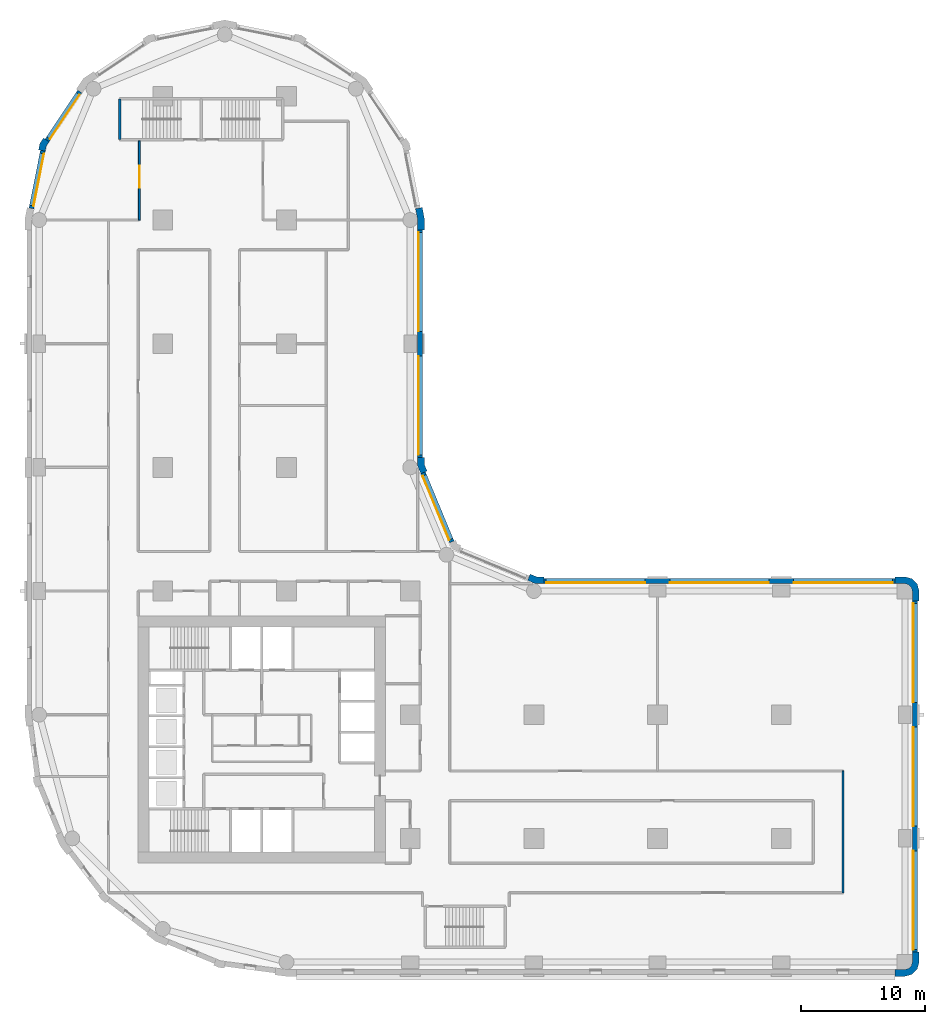
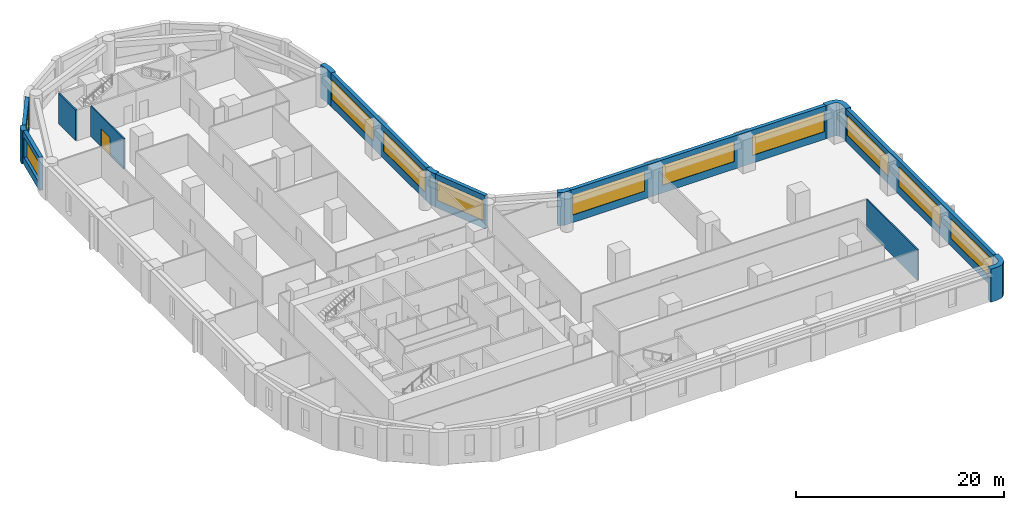
# One storey, part 6 of 10: 15 walls, 11 windows, 1 door, 12 openings.
"""IFC4 building model written with IfcOpenShell, lengths in metres."""

from ifc_helpers import new_model, si_unit, direction, frame, frame_2d, origin, place, context, subcontext, project, spatial, polyline, rectangle, outline, extrude, material, layer, layer_set, type_object, element, fill, save


model = new_model("IFC4")

# Units and contexts
model_context = context("Model", 3, precision=1e-05, world=origin(), true_north=direction((0.0, 1.0)))
body_context = subcontext(model_context, "Body", "Model", "MODEL_VIEW")
ifc_project = project(units=[si_unit("LENGTHUNIT", "METRE"), si_unit("AREAUNIT", "SQUARE_METRE"), si_unit("VOLUMEUNIT", "CUBIC_METRE"), si_unit("PLANEANGLEUNIT", "RADIAN"), si_unit("MASSUNIT", "GRAM", prefix="KILO")], contexts=[model_context])

# Site, building, storey
site_placement = place(None, origin())
site = spatial("IfcSite", under=ifc_project, at=site_placement, CompositionType="ELEMENT")
building_placement = place(site_placement, origin())
building = spatial("IfcBuilding", under=site, at=building_placement, Name="Qaws Garden Tower", CompositionType="ELEMENT")
storey_placement = place(building_placement, frame((0.0, 0.0, 58.800048828125)))
storey = spatial("IfcBuildingStorey", under=building, at=storey_placement, Name="L14", CompositionType="ELEMENT", Elevation=58.800048828125)

# Walls
ifc_material_1 = material(Name="Clay facing brick masonry", Category="masonry")
ifc_layer_1 = layer(ifc_material_1, 0.550048828125)
ifc_layer_set_1 = layer_set([ifc_layer_1], Name="Clay facing brick masonry")
wall_type_1 = type_object("IfcWallType", Name="Brick corner pier 550 x 2400", PredefinedType="SOLIDWALL", material=ifc_layer_set_1)
placement = place(storey_placement, origin())
element("IfcWall", 1, at=placement, inside=storey, type_object=wall_type_1, Name="E-L14-pier-05", PredefinedType="SOLIDWALL", context=body_context, shape_type="SweptSolid", body=[
    extrude(outline(polyline([(69.199951171875, -1.0), (69.199951171875, -1.14990234375), (70.0, -1.14990234375), (70.574951171875, -0.995849609375), (70.995849609375, -0.574951171875), (71.14990234375, 0.0), (71.14990234375, 0.800048828125), (71.0, 0.800048828125), (70.60009765625, 0.800048828125), (70.60009765625, 0.0), (70.51953125, -0.300048828125), (70.300048828125, -0.51953125), (70.0, -0.60009765625), (69.199951171875, -0.60009765625), (69.199951171875, -1.0)])), origin(), (0.0, 0.0, 1.0), 3.89990234375),
])
element("IfcWall", 2, at=placement, inside=storey, type_object=wall_type_1, Name="E-L14-pier-08", PredefinedType="SOLIDWALL", context=body_context, shape_type="SweptSolid", body=[
    extrude(outline(polyline([(71.0, 29.199951171875), (71.14990234375, 29.199951171875), (71.14990234375, 30.0), (70.995849609375, 30.574951171875), (70.574951171875, 30.995849609375), (70.0, 31.14990234375), (69.199951171875, 31.14990234375), (69.199951171875, 31.0), (69.199951171875, 30.60009765625), (70.0, 30.60009765625), (70.300048828125, 30.51953125), (70.51953125, 30.300048828125), (70.60009765625, 30.0), (70.60009765625, 29.199951171875), (71.0, 29.199951171875)])), origin(), (0.0, 0.0, 1.0), 3.89990234375),
])

# Wall, openings, windows
ifc_material_2 = material(Name="Clay facing brick masonry", Category="masonry")
ifc_layer_2 = layer(ifc_material_2, 0.39990234375)
ifc_layer_set_2 = layer_set([ifc_layer_2], Name="Clay facing brick masonry")
wall_type_2 = type_object("IfcWallType", Name="Brick infill wall 400", PredefinedType="SOLIDWALL", material=ifc_layer_set_2)
wall_3_placement = place(storey_placement, frame((70.800048828125, 0.800048828125, 0.0), z_axis=(0.0, 0.0, 1.0), x_axis=(0.0, 1.0, 0.0)))
wall_3 = element("IfcWall", 3, at=wall_3_placement, inside=storey, type_object=wall_type_2, Name="E-L14-infill-05", PredefinedType="SOLIDWALL", context=body_context, shape_type="SweptSolid", body=[
    extrude(rectangle(XDim=28.39990234375, YDim=0.39990234375, at=frame_2d((14.199951171875, 0.0))), origin(), (0.0, 0.0, 1.0), 3.89990234375),
])
opening_1_placement = place(wall_3_placement, frame((0.199951171875, 0.0, 0.89990234375)))
opening_1 = element("IfcOpeningElement", 4, at=opening_1_placement, cuts=wall_3, Name="Opening W01", PredefinedType="OPENING", context=body_context, shape_type="SweptSolid", body=[
    extrude(rectangle(XDim=8.0, YDim=2.35009765625, at=frame_2d((4.0, 1.175048828125))), frame((0.0, 0.2099609375, 0.0), z_axis=(0.0, -1.0, 0.0), x_axis=(1.0, 0.0, 0.0)), (0.0, 0.0, 1.0), 0.419921875),
])
opening_2_placement = place(wall_3_placement, frame((10.199951171875, 0.0, 0.89990234375)))
opening_2 = element("IfcOpeningElement", 5, at=opening_2_placement, cuts=wall_3, Name="Opening W01", PredefinedType="OPENING", context=body_context, shape_type="SweptSolid", body=[
    extrude(rectangle(XDim=8.0, YDim=2.35009765625, at=frame_2d((4.0, 1.175048828125))), frame((0.0, 0.2099609375, 0.0), z_axis=(0.0, -1.0, 0.0), x_axis=(1.0, 0.0, 0.0)), (0.0, 0.0, 1.0), 0.419921875),
])
opening_3_placement = place(wall_3_placement, frame((20.199951171875, 0.0, 0.89990234375)))
opening_3 = element("IfcOpeningElement", 6, at=opening_3_placement, cuts=wall_3, Name="Opening W01", PredefinedType="OPENING", context=body_context, shape_type="SweptSolid", body=[
    extrude(rectangle(XDim=8.0, YDim=2.35009765625, at=frame_2d((4.0, 1.175048828125))), frame((0.0, 0.2099609375, 0.0), z_axis=(0.0, -1.0, 0.0), x_axis=(1.0, 0.0, 0.0)), (0.0, 0.0, 1.0), 0.419921875),
])
ifc_material_3 = material(Name="Aluminium framed window, clear glazing", Category="aluminium")
window_type_1 = type_object("IfcWindowType", Name="Ribbon window 8000 x 2350", PartitioningType="DOUBLE_PANEL_VERTICAL", PredefinedType="WINDOW", material=ifc_material_3)
window_1_placement = place(opening_1_placement, origin())
window_1 = element("IfcWindow", 7, at=window_1_placement, inside=storey, type_object=window_type_1, Name="E-L14-window-05-0", OverallHeight=2.35009765625, OverallWidth=8.0, PartitioningType="SINGLE_PANEL", PredefinedType="WINDOW", context=body_context, shape_type="SweptSolid", body=[
    extrude(rectangle(XDim=8.0, YDim=2.35009765625, at=frame_2d((4.0, 1.175048828125))), frame((0.0, 0.159912109375, 0.0), z_axis=(0.0, -1.0, 0.0), x_axis=(1.0, 0.0, 0.0)), (0.0, 0.0, 1.0), 0.06005859375),
])
fill(opening_1, window_1)
window_2_placement = place(opening_2_placement, origin())
window_2 = element("IfcWindow", 8, at=window_2_placement, inside=storey, type_object=window_type_1, Name="E-L14-window-06-0", OverallHeight=2.35009765625, OverallWidth=8.0, PartitioningType="SINGLE_PANEL", PredefinedType="WINDOW", context=body_context, shape_type="SweptSolid", body=[
    extrude(rectangle(XDim=8.0, YDim=2.35009765625, at=frame_2d((4.0, 1.175048828125))), frame((0.0, 0.159912109375, 0.0), z_axis=(0.0, -1.0, 0.0), x_axis=(1.0, 0.0, 0.0)), (0.0, 0.0, 1.0), 0.06005859375),
])
fill(opening_2, window_2)
window_3_placement = place(opening_3_placement, origin())
window_3 = element("IfcWindow", 9, at=window_3_placement, inside=storey, type_object=window_type_1, Name="E-L14-window-07-0", OverallHeight=2.35009765625, OverallWidth=8.0, PartitioningType="SINGLE_PANEL", PredefinedType="WINDOW", context=body_context, shape_type="SweptSolid", body=[
    extrude(rectangle(XDim=8.0, YDim=2.35009765625, at=frame_2d((4.0, 1.175048828125))), frame((0.0, 0.159912109375, 0.0), z_axis=(0.0, -1.0, 0.0), x_axis=(1.0, 0.0, 0.0)), (0.0, 0.0, 1.0), 0.06005859375),
])
fill(opening_3, window_3)

wall_4_placement = place(storey_placement, frame((69.199951171875, 30.800048828125, 0.0), z_axis=(0.0, 0.0, 1.0), x_axis=(-1.0, 0.0, 0.0)))
wall_4 = element("IfcWall", 10, at=wall_4_placement, inside=storey, type_object=wall_type_2, Name="E-L14-infill-08", PredefinedType="SOLIDWALL", context=body_context, shape_type="SweptSolid", body=[
    extrude(rectangle(XDim=28.39990234375, YDim=0.39990234375, at=frame_2d((14.199951171875, 0.0))), origin(), (0.0, 0.0, 1.0), 3.89990234375),
])
opening_4_placement = place(wall_4_placement, frame((0.199951171875, 0.0, 0.89990234375)))
opening_4 = element("IfcOpeningElement", 11, at=opening_4_placement, cuts=wall_4, Name="Opening W01", PredefinedType="OPENING", context=body_context, shape_type="SweptSolid", body=[
    extrude(rectangle(XDim=8.0, YDim=2.35009765625, at=frame_2d((4.0, 1.175048828125))), frame((0.0, 0.2099609375, 0.0), z_axis=(0.0, -1.0, 0.0), x_axis=(1.0, 0.0, 0.0)), (0.0, 0.0, 1.0), 0.419921875),
])
opening_5_placement = place(wall_4_placement, frame((10.199951171875, 0.0, 0.89990234375)))
opening_5 = element("IfcOpeningElement", 12, at=opening_5_placement, cuts=wall_4, Name="Opening W01", PredefinedType="OPENING", context=body_context, shape_type="SweptSolid", body=[
    extrude(rectangle(XDim=8.0, YDim=2.35009765625, at=frame_2d((4.0, 1.175048828125))), frame((0.0, 0.2099609375, 0.0), z_axis=(0.0, -1.0, 0.0), x_axis=(1.0, 0.0, 0.0)), (0.0, 0.0, 1.0), 0.419921875),
])
opening_6_placement = place(wall_4_placement, frame((20.199951171875, 0.0, 0.89990234375)))
opening_6 = element("IfcOpeningElement", 13, at=opening_6_placement, cuts=wall_4, Name="Opening W01", PredefinedType="OPENING", context=body_context, shape_type="SweptSolid", body=[
    extrude(rectangle(XDim=8.0, YDim=2.35009765625, at=frame_2d((4.0, 1.175048828125))), frame((0.0, 0.2099609375, 0.0), z_axis=(0.0, -1.0, 0.0), x_axis=(1.0, 0.0, 0.0)), (0.0, 0.0, 1.0), 0.419921875),
])
window_4_placement = place(opening_4_placement, origin())
window_4 = element("IfcWindow", 14, at=window_4_placement, inside=storey, type_object=window_type_1, Name="E-L14-window-08-0", OverallHeight=2.35009765625, OverallWidth=8.0, PartitioningType="SINGLE_PANEL", PredefinedType="WINDOW", context=body_context, shape_type="SweptSolid", body=[
    extrude(rectangle(XDim=8.0, YDim=2.35009765625, at=frame_2d((4.0, 1.175048828125))), frame((0.0, 0.159912109375, 0.0), z_axis=(0.0, -1.0, 0.0), x_axis=(1.0, 0.0, 0.0)), (0.0, 0.0, 1.0), 0.06005859375),
])
fill(opening_4, window_4)
window_5_placement = place(opening_5_placement, origin())
window_5 = element("IfcWindow", 15, at=window_5_placement, inside=storey, type_object=window_type_1, Name="E-L14-window-09-0", OverallHeight=2.35009765625, OverallWidth=8.0, PartitioningType="SINGLE_PANEL", PredefinedType="WINDOW", context=body_context, shape_type="SweptSolid", body=[
    extrude(rectangle(XDim=8.0, YDim=2.35009765625, at=frame_2d((4.0, 1.175048828125))), frame((0.0, 0.159912109375, 0.0), z_axis=(0.0, -1.0, 0.0), x_axis=(1.0, 0.0, 0.0)), (0.0, 0.0, 1.0), 0.06005859375),
])
fill(opening_5, window_5)
window_6_placement = place(opening_6_placement, origin())
window_6 = element("IfcWindow", 16, at=window_6_placement, inside=storey, type_object=window_type_1, Name="E-L14-window-10-0", OverallHeight=2.35009765625, OverallWidth=8.0, PartitioningType="SINGLE_PANEL", PredefinedType="WINDOW", context=body_context, shape_type="SweptSolid", body=[
    extrude(rectangle(XDim=8.0, YDim=2.35009765625, at=frame_2d((4.0, 1.175048828125))), frame((0.0, 0.159912109375, 0.0), z_axis=(0.0, -1.0, 0.0), x_axis=(1.0, 0.0, 0.0)), (0.0, 0.0, 1.0), 0.06005859375),
])
fill(opening_6, window_6)

# Wall, opening, window
wall_5_placement = place(storey_placement, frame((33.36181640625, 33.97412109375, 0.0), z_axis=(0.0, 0.0, 1.0), x_axis=(-0.382655745237, 0.923891000409, 0.0)))
wall_5 = element("IfcWall", 17, at=wall_5_placement, inside=storey, type_object=wall_type_2, Name="E-L14-infill-12", PredefinedType="SOLIDWALL", context=body_context, shape_type="SweptSolid", body=[
    extrude(rectangle(XDim=6.053466796875, YDim=0.39990234375, at=frame_2d((3.02685546875, 0.0))), origin(), (0.0, 0.0, 1.0), 3.89990234375),
])
opening_7_placement = place(wall_5_placement, frame((0.226806640625, 0.0, 0.89990234375)))
opening_7 = element("IfcOpeningElement", 18, at=opening_7_placement, cuts=wall_5, Name="Opening W04", PredefinedType="OPENING", context=body_context, shape_type="SweptSolid", body=[
    extrude(rectangle(XDim=5.60009765625, YDim=2.35009765625, at=frame_2d((2.800048828125, 1.175048828125))), frame((0.0, 0.2099609375, 0.0), z_axis=(0.0, -1.0, 0.0), x_axis=(1.0, 0.0, 0.0)), (0.0, 0.0, 1.0), 0.419921875),
])
ifc_material_4 = material(Name="Aluminium framed window, clear glazing", Category="aluminium")
window_type_2 = type_object("IfcWindowType", Name="Ribbon window 5600 x 2350", PartitioningType="DOUBLE_PANEL_VERTICAL", PredefinedType="WINDOW", material=ifc_material_4)
window_7_placement = place(opening_7_placement, origin())
window_7 = element("IfcWindow", 19, at=window_7_placement, inside=storey, type_object=window_type_2, Name="E-L14-window-12-0", OverallHeight=2.35009765625, OverallWidth=5.60009765625, PartitioningType="SINGLE_PANEL", PredefinedType="WINDOW", context=body_context, shape_type="SweptSolid", body=[
    extrude(rectangle(XDim=5.60009765625, YDim=2.35009765625, at=frame_2d((2.800048828125, 1.175048828125))), frame((0.0, 0.159912109375, 0.0), z_axis=(0.0, -1.0, 0.0), x_axis=(1.0, 0.0, 0.0)), (0.0, 0.0, 1.0), 0.06005859375),
])
fill(opening_7, window_7)

# Wall, openings, windows
wall_6_placement = place(storey_placement, frame((30.800048828125, 40.800048828125, 0.0), z_axis=(0.0, 0.0, 1.0), x_axis=(0.0, 1.0, 0.0)))
wall_6 = element("IfcWall", 20, at=wall_6_placement, inside=storey, type_object=wall_type_2, Name="E-L14-infill-13", PredefinedType="SOLIDWALL", context=body_context, shape_type="SweptSolid", body=[
    extrude(rectangle(XDim=18.39990234375, YDim=0.39990234375, at=frame_2d((9.199951171875, 0.0))), origin(), (0.0, 0.0, 1.0), 3.89990234375),
])
opening_8_placement = place(wall_6_placement, frame((0.199951171875, 0.0, 0.89990234375)))
opening_8 = element("IfcOpeningElement", 21, at=opening_8_placement, cuts=wall_6, Name="Opening W01", PredefinedType="OPENING", context=body_context, shape_type="SweptSolid", body=[
    extrude(rectangle(XDim=8.0, YDim=2.35009765625, at=frame_2d((4.0, 1.175048828125))), frame((0.0, 0.2099609375, 0.0), z_axis=(0.0, -1.0, 0.0), x_axis=(1.0, 0.0, 0.0)), (0.0, 0.0, 1.0), 0.419921875),
])
opening_9_placement = place(wall_6_placement, frame((10.199951171875, 0.0, 0.89990234375)))
opening_9 = element("IfcOpeningElement", 22, at=opening_9_placement, cuts=wall_6, Name="Opening W01", PredefinedType="OPENING", context=body_context, shape_type="SweptSolid", body=[
    extrude(rectangle(XDim=8.0, YDim=2.35009765625, at=frame_2d((4.0, 1.175048828125))), frame((0.0, 0.2099609375, 0.0), z_axis=(0.0, -1.0, 0.0), x_axis=(1.0, 0.0, 0.0)), (0.0, 0.0, 1.0), 0.419921875),
])
window_8_placement = place(opening_8_placement, origin())
window_8 = element("IfcWindow", 23, at=window_8_placement, inside=storey, type_object=window_type_1, Name="E-L14-window-13-0", OverallHeight=2.35009765625, OverallWidth=8.0, PartitioningType="SINGLE_PANEL", PredefinedType="WINDOW", context=body_context, shape_type="SweptSolid", body=[
    extrude(rectangle(XDim=8.0, YDim=2.35009765625, at=frame_2d((4.0, 1.175048828125))), frame((0.0, 0.159912109375, 0.0), z_axis=(0.0, -1.0, 0.0), x_axis=(1.0, 0.0, 0.0)), (0.0, 0.0, 1.0), 0.06005859375),
])
fill(opening_8, window_8)
window_9_placement = place(opening_9_placement, origin())
window_9 = element("IfcWindow", 24, at=window_9_placement, inside=storey, type_object=window_type_1, Name="E-L14-window-14-0", OverallHeight=2.35009765625, OverallWidth=8.0, PartitioningType="SINGLE_PANEL", PredefinedType="WINDOW", context=body_context, shape_type="SweptSolid", body=[
    extrude(rectangle(XDim=8.0, YDim=2.35009765625, at=frame_2d((4.0, 1.175048828125))), frame((0.0, 0.159912109375, 0.0), z_axis=(0.0, -1.0, 0.0), x_axis=(1.0, 0.0, 0.0)), (0.0, 0.0, 1.0), 0.06005859375),
])
fill(opening_9, window_9)

# Wall, opening, window
wall_7_placement = place(storey_placement, frame((3.28369140625, 70.385986328125, 0.0), z_axis=(0.0, 0.0, 1.0), x_axis=(-0.555541552266, -0.831488775454, 0.0)))
wall_7 = element("IfcWall", 25, at=wall_7_placement, inside=storey, type_object=wall_type_2, Name="E-L14-infill-21", PredefinedType="SOLIDWALL", context=body_context, shape_type="SweptSolid", body=[
    extrude(rectangle(XDim=4.752685546875, YDim=0.39990234375, at=frame_2d((2.37646484375, 0.0))), origin(), (0.0, 0.0, 1.0), 3.89990234375),
])
opening_10_placement = place(wall_7_placement, frame((0.226318359375, 0.0, 0.89990234375)))
opening_10 = element("IfcOpeningElement", 26, at=opening_10_placement, cuts=wall_7, Name="Opening W06", PredefinedType="OPENING", context=body_context, shape_type="SweptSolid", body=[
    extrude(rectangle(XDim=4.300048828125, YDim=2.35009765625, at=frame_2d((2.14990234375, 1.175048828125))), frame((0.0, 0.2099609375, 0.0), z_axis=(0.0, -1.0, 0.0), x_axis=(1.0, 0.0, 0.0)), (0.0, 0.0, 1.0), 0.419921875),
])
ifc_material_5 = material(Name="Aluminium framed window, clear glazing", Category="aluminium")
window_type_3 = type_object("IfcWindowType", Name="Ribbon window 4300 x 2350", PartitioningType="DOUBLE_PANEL_VERTICAL", PredefinedType="WINDOW", material=ifc_material_5)
window_10_placement = place(opening_10_placement, origin())
window_10 = element("IfcWindow", 27, at=window_10_placement, inside=storey, type_object=window_type_3, Name="E-L14-window-21-0", OverallHeight=2.35009765625, OverallWidth=4.300048828125, PartitioningType="SINGLE_PANEL", PredefinedType="WINDOW", context=body_context, shape_type="SweptSolid", body=[
    extrude(rectangle(XDim=4.300048828125, YDim=2.35009765625, at=frame_2d((2.14990234375, 1.175048828125))), frame((0.0, 0.159912109375, 0.0), z_axis=(0.0, -1.0, 0.0), x_axis=(1.0, 0.0, 0.0)), (0.0, 0.0, 1.0), 0.06005859375),
])
fill(opening_10, window_10)

wall_8_placement = place(storey_placement, frame((0.298583984375, 65.60205078125, 0.0), z_axis=(0.0, 0.0, 1.0), x_axis=(-0.195098533057, -0.98078364709, 0.0)))
wall_8 = element("IfcWall", 28, at=wall_8_placement, inside=storey, type_object=wall_type_2, Name="E-L14-infill-22", PredefinedType="SOLIDWALL", context=body_context, shape_type="SweptSolid", body=[
    extrude(rectangle(XDim=4.752685546875, YDim=0.39990234375, at=frame_2d((2.37646484375, 0.0))), origin(), (0.0, 0.0, 1.0), 3.89990234375),
])
opening_11_placement = place(wall_8_placement, frame((0.226318359375, 0.0, 0.89990234375)))
opening_11 = element("IfcOpeningElement", 29, at=opening_11_placement, cuts=wall_8, Name="Opening W06", PredefinedType="OPENING", context=body_context, shape_type="SweptSolid", body=[
    extrude(rectangle(XDim=4.300048828125, YDim=2.35009765625, at=frame_2d((2.14990234375, 1.175048828125))), frame((0.0, 0.2099609375, 0.0), z_axis=(0.0, -1.0, 0.0), x_axis=(1.0, 0.0, 0.0)), (0.0, 0.0, 1.0), 0.419921875),
])
window_11_placement = place(opening_11_placement, origin())
window_11 = element("IfcWindow", 30, at=window_11_placement, inside=storey, type_object=window_type_3, Name="E-L14-window-22-0", OverallHeight=2.35009765625, OverallWidth=4.300048828125, PartitioningType="SINGLE_PANEL", PredefinedType="WINDOW", context=body_context, shape_type="SweptSolid", body=[
    extrude(rectangle(XDim=4.300048828125, YDim=2.35009765625, at=frame_2d((2.14990234375, 1.175048828125))), frame((0.0, 0.159912109375, 0.0), z_axis=(0.0, -1.0, 0.0), x_axis=(1.0, 0.0, 0.0)), (0.0, 0.0, 1.0), 0.06005859375),
])
fill(opening_11, window_11)

# Walls
ifc_material_6 = material(Name="Clay facing brick masonry", Category="masonry")
ifc_layer_3 = layer(ifc_material_6, 0.550048828125)
ifc_layer_set_3 = layer_set([ifc_layer_3], Name="Clay facing brick masonry")
wall_type_3 = type_object("IfcWallType", Name="Brick kink pier 550 x 600", PredefinedType="SOLIDWALL", material=ifc_layer_set_3)
element("IfcWall", 31, at=placement, inside=storey, type_object=wall_type_3, Name="E-L14-pier-22", PredefinedType="SOLIDWALL", context=body_context, shape_type="SweptSolid", body=[
    extrude(outline(polyline([(0.47705078125, 66.545166015625), (0.352294921875, 66.628662109375), (0.05859375, 66.18896484375), (-0.044677734375, 65.67041015625), (0.1025390625, 65.64111328125), (0.494873046875, 65.56298828125), (0.57666015625, 65.974365234375), (0.8095703125, 66.322998046875), (0.47705078125, 66.545166015625)])), origin(), (0.0, 0.0, 1.0), 3.89990234375),
])
ifc_material_7 = material(Name="Clay facing brick masonry", Category="masonry")
ifc_layer_4 = layer(ifc_material_7, 0.550048828125)
ifc_layer_set_4 = layer_set([ifc_layer_4], Name="Clay facing brick masonry")
wall_type_4 = type_object("IfcWallType", Name="Brick pier 550 x 1600", PredefinedType="SOLIDWALL", material=ifc_layer_set_4)
element("IfcWall", 32, at=placement, inside=storey, type_object=wall_type_4, Name="E-L14-pier-11", PredefinedType="SOLIDWALL", context=body_context, shape_type="SweptSolid", body=[
    extrude(outline(polyline([(40.800048828125, 31.0), (40.800048828125, 31.14990234375), (40.228759765625, 31.14990234375), (39.700927734375, 31.36865234375), (39.6435546875, 31.22998046875), (39.490478515625, 30.860595703125), (40.119384765625, 30.60009765625), (40.800048828125, 30.60009765625), (40.800048828125, 31.0)])), origin(), (0.0, 0.0, 1.0), 3.89990234375),
])
element("IfcWall", 33, at=placement, inside=storey, type_object=wall_type_4, Name="E-L14-pier-13", PredefinedType="SOLIDWALL", context=body_context, shape_type="SweptSolid", body=[
    extrude(outline(polyline([(31.22998046875, 39.6435546875), (31.36865234375, 39.700927734375), (31.14990234375, 40.228759765625), (31.14990234375, 40.800048828125), (31.0, 40.800048828125), (30.60009765625, 40.800048828125), (30.60009765625, 40.119384765625), (30.860595703125, 39.490478515625), (31.22998046875, 39.6435546875)])), origin(), (0.0, 0.0, 1.0), 3.89990234375),
])
element("IfcWall", 34, at=placement, inside=storey, type_object=wall_type_4, Name="E-L14-pier-15", PredefinedType="SOLIDWALL", context=body_context, shape_type="SweptSolid", body=[
    extrude(outline(polyline([(31.0, 59.199951171875), (31.14990234375, 59.199951171875), (31.14990234375, 60.11328125), (30.971923828125, 61.009033203125), (30.82470703125, 60.979736328125), (30.432373046875, 60.901611328125), (30.60009765625, 60.05908203125), (30.60009765625, 59.199951171875), (31.0, 59.199951171875)])), origin(), (0.0, 0.0, 1.0), 3.89990234375),
])
ifc_material_8 = material(Name="Concrete C80", Category="concrete")
ifc_layer_5 = layer(ifc_material_8, 0.199951171875)
ifc_layer_set_5 = layer_set([ifc_layer_5], Name="Concrete C80")
wall_type_5 = type_object("IfcWallType", Name="Core shaft wall 200 C80", PredefinedType="SHEAR", material=ifc_layer_set_5)
wall_13_placement = place(storey_placement, frame((6.5, 66.5, 0.0), z_axis=(0.0, 0.0, 1.0), x_axis=(0.0, 1.0, 0.0)))
element("IfcWall", 35, at=wall_13_placement, inside=storey, type_object=wall_type_5, Name="Shaft wall", PredefinedType="SHEAR", context=body_context, shape_type="SweptSolid", body=[
    extrude(rectangle(XDim=3.300048828125, YDim=0.199951171875, at=frame_2d((1.64990234375, 0.0))), origin(), (0.0, 0.0, 1.0), 3.579833984375),
])

# Wall, opening, door
ifc_material_9 = material(Name="Gypsum board partition")
ifc_layer_6 = layer(ifc_material_9, 0.14990234375)
ifc_layer_set_6 = layer_set([ifc_layer_6], Name="Gypsum board partition")
wall_type_6 = type_object("IfcWallType", Name="PARTITION 150 EI 60", PredefinedType="PARTITIONING", material=ifc_layer_set_6)
wall_14_placement = place(storey_placement, frame((8.10009765625, 60.0, 0.0), z_axis=(0.0, 0.0, 1.0), x_axis=(0.0, 1.0, 0.0)))
wall_14 = element("IfcWall", 36, at=wall_14_placement, inside=storey, type_object=wall_type_6, Name="O-L14-wall-004", PredefinedType="PARTITIONING", context=body_context, shape_type="SweptSolid", body=[
    extrude(rectangle(XDim=6.39990234375, YDim=0.14990234375, at=frame_2d((3.199951171875, 0.0))), origin(), (0.0, 0.0, 1.0), 3.579833984375),
])
opening_12_placement = place(wall_14_placement, frame((2.60009765625, 0.0, 0.0)))
opening_12 = element("IfcOpeningElement", 37, at=opening_12_placement, cuts=wall_14, Name="Opening A514", PredefinedType="OPENING", context=body_context, shape_type="SweptSolid", body=[
    extrude(rectangle(XDim=1.800048828125, YDim=2.10009765625, at=frame_2d((0.89990234375, 1.050048828125))), frame((0.0, 0.0849609375, 0.0), z_axis=(0.0, -1.0, 0.0), x_axis=(1.0, 0.0, 0.0)), (0.0, 0.0, 1.0), 0.169921875),
])
ifc_material_10 = material(Name="Timber door leaf", Category="wood")
door_type = type_object("IfcDoorType", Name="DOUBLE DOOR 1800 X 2100", OperationType="DOUBLE_DOOR_SINGLE_SWING", PredefinedType="DOOR", material=ifc_material_10)
door_placement = place(opening_12_placement, origin())
door = element("IfcDoor", 38, at=door_placement, inside=storey, type_object=door_type, Name="O-L14-door-014", OperationType="DOUBLE_DOOR_SINGLE_SWING", OverallHeight=2.10009765625, OverallWidth=1.800048828125, PredefinedType="DOOR", context=body_context, shape_type="SweptSolid", body=[
    extrude(rectangle(XDim=1.800048828125, YDim=2.10009765625, at=frame_2d((0.89990234375, 1.050048828125))), frame((0.0, 0.02490234375, 0.0), z_axis=(0.0, -1.0, 0.0), x_axis=(1.0, 0.0, 0.0)), (0.0, 0.0, 1.0), 0.050048828125),
])
fill(opening_12, door)

# Wall
wall_15_placement = place(storey_placement, frame((65.0, 5.60009765625, 0.0), z_axis=(0.0, 0.0, 1.0), x_axis=(0.0, 1.0, 0.0)))
element("IfcWall", 39, at=wall_15_placement, inside=storey, type_object=wall_type_6, Name="O-L14-wall-025", PredefinedType="PARTITIONING", context=body_context, shape_type="SweptSolid", body=[
    extrude(rectangle(XDim=9.849853515625, YDim=0.14990234375, at=frame_2d((4.9248046875, 0.0))), origin(), (0.0, 0.0, 1.0), 3.579833984375),
])

save(model, "model.ifc")
